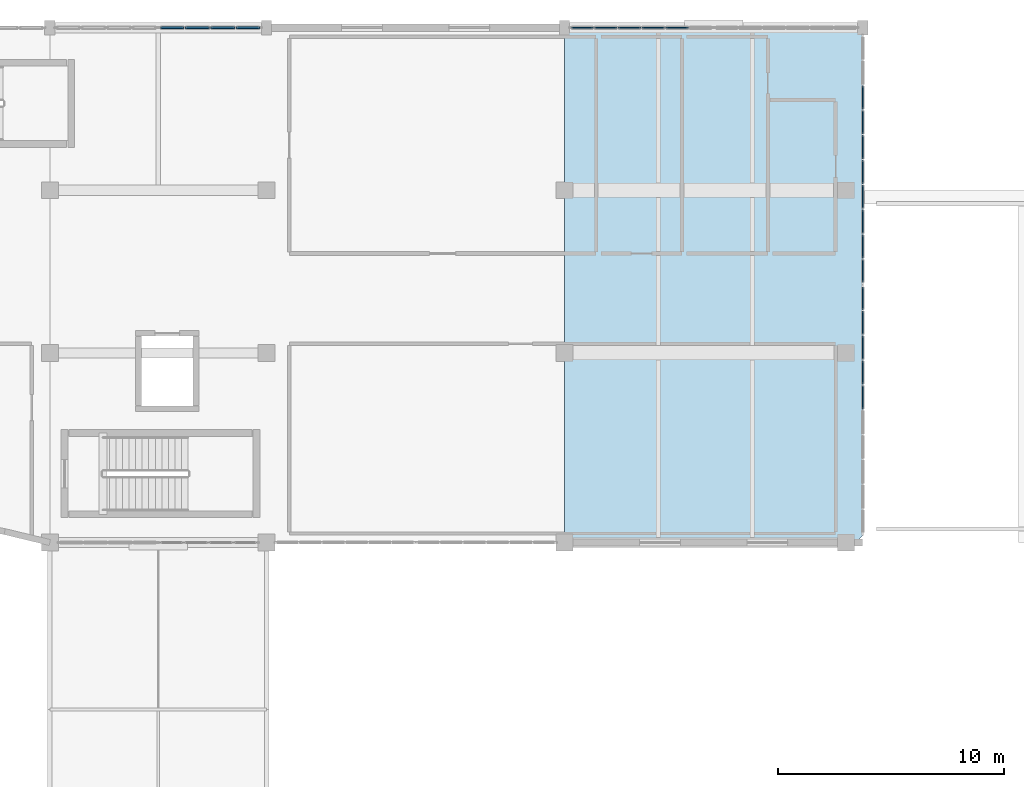
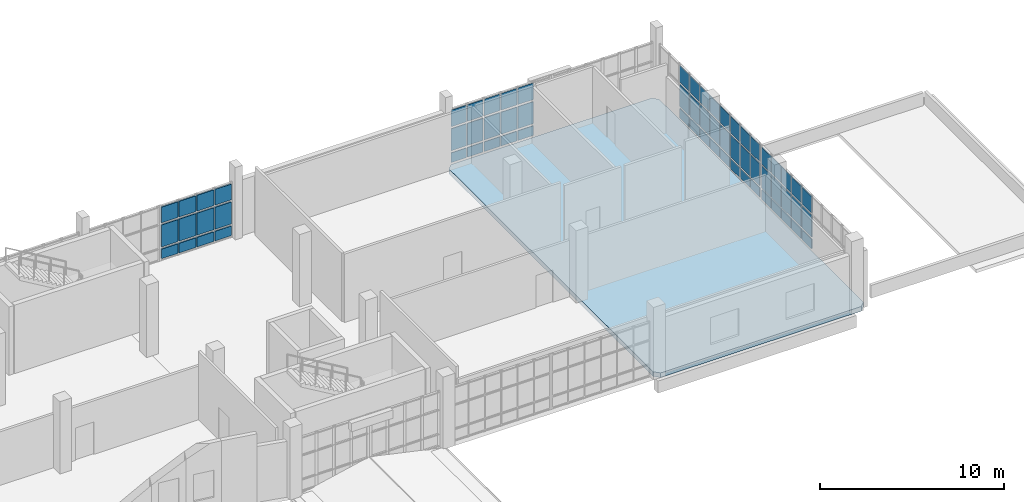
# One storey, part 78 of 106: 66 plates, 1 slab, 4 elements without a shape of their own.
"""IFC4 building model written with IfcOpenShell, lengths in metres."""

from ifc_helpers import new_model, si_unit, direction, frame, origin, origin_2d, place, context, subcontext, project, spatial, polyline, rectangle, outline, extrude, material, layer, layer_set, type_object, element, aggregate, save


model = new_model("IFC4")

# Units and contexts
model_context = context("Model", 3, precision=1e-05, world=origin(), true_north=direction((0.0, 1.0)))
body_context = subcontext(model_context, "Body", "Model", "MODEL_VIEW")
ifc_project = project(units=[si_unit("LENGTHUNIT", "METRE"), si_unit("AREAUNIT", "SQUARE_METRE"), si_unit("VOLUMEUNIT", "CUBIC_METRE"), si_unit("PLANEANGLEUNIT", "RADIAN"), si_unit("MASSUNIT", "GRAM", prefix="KILO")], contexts=[model_context])

# Site, building, storey
site_placement = place(None, origin())
site = spatial("IfcSite", under=ifc_project, at=site_placement, CompositionType="ELEMENT")
building_placement = place(site_placement, origin())
building = spatial("IfcBuilding", under=site, at=building_placement, Name="Kisaragi Civic Commons", CompositionType="ELEMENT")
storey_placement = place(building_placement, frame((0.0, 0.0, 4.800048828125)))
storey = spatial("IfcBuildingStorey", under=building, at=storey_placement, Name="L01", CompositionType="ELEMENT", Elevation=4.800048828125)

# Curtain wall, plates
ifc_material_1 = material(Name="Thermally broken anodized aluminium and low-E double glazing", Category="aluminium")
ifc_layer_1 = layer(ifc_material_1, 0.179931640625, Name="Thermally broken anodized aluminium and low-E double glazing", Category="aluminium")
ifc_layer_set_1 = layer_set([ifc_layer_1], Name="Thermally broken anodized aluminium and low-E double glazing")
curtain_wall_type = type_object("IfcCurtainWallType", Name="CW-01", PredefinedType="NOTDEFINED", material=ifc_layer_set_1)
curtain_wall_1_placement = place(storey_placement, origin())
curtain_wall_1 = element("IfcCurtainWall", 1, at=curtain_wall_1_placement, inside=storey, type_object=curtain_wall_type, Name="L01 curtain wall CW-01 CW-V4-L01-068", PredefinedType="NOTDEFINED")
ifc_layer_2 = layer(ifc_material_1, 0.0859375, Name="Thermally broken anodized aluminium and low-E double glazing", Category="aluminium")
ifc_layer_set_2 = layer_set([ifc_layer_2], Name="Thermally broken anodized aluminium and low-E double glazing")
plate_type_1 = type_object("IfcPlateType", Name="CWP-12", PredefinedType="CURTAIN_PANEL", material=ifc_layer_set_2)
plate_1_placement = place(storey_placement, frame((129.021240234375, 118.800048828125, 0.14013671875), z_axis=(0.0, 0.0, 1.0), x_axis=(1.0, 0.0, 0.0)))
plate_1 = element("IfcPlate", 2, at=plate_1_placement, type_object=plate_type_1, Name="CW-01 panel 1.1", PredefinedType="CURTAIN_PANEL", context=body_context, shape_type="SweptSolid", body=[
    extrude(rectangle(XDim=1.032470703125, YDim=0.0859375, at=origin_2d()), origin(), (0.0, 0.0, 1.0), 0.639892578125),
])
plate_2_placement = place(storey_placement, frame((129.021240234375, 118.800048828125, 0.919921875), z_axis=(0.0, 0.0, 1.0), x_axis=(1.0, 0.0, 0.0)))
plate_2 = element("IfcPlate", 3, at=plate_2_placement, type_object=plate_type_1, Name="CW-01 panel 1.2", PredefinedType="CURTAIN_PANEL", context=body_context, shape_type="SweptSolid", body=[
    extrude(rectangle(XDim=1.032470703125, YDim=0.0859375, at=origin_2d()), origin(), (0.0, 0.0, 1.0), 1.4599609375),
])
plate_3_placement = place(storey_placement, frame((129.021240234375, 118.800048828125, 2.52001953125), z_axis=(0.0, 0.0, 1.0), x_axis=(1.0, 0.0, 0.0)))
plate_3 = element("IfcPlate", 4, at=plate_3_placement, type_object=plate_type_1, Name="CW-01 panel 1.3", PredefinedType="CURTAIN_PANEL", context=body_context, shape_type="SweptSolid", body=[
    extrude(rectangle(XDim=1.032470703125, YDim=0.0859375, at=origin_2d()), origin(), (0.0, 0.0, 1.0), 1.044921875),
])
plate_4_placement = place(storey_placement, frame((130.135009765625, 118.800048828125, 0.14013671875), z_axis=(0.0, 0.0, 1.0), x_axis=(1.0, 0.0, 0.0)))
plate_4 = element("IfcPlate", 5, at=plate_4_placement, type_object=plate_type_1, Name="CW-01 panel 2.1", PredefinedType="CURTAIN_PANEL", context=body_context, shape_type="SweptSolid", body=[
    extrude(rectangle(XDim=1.06494140625, YDim=0.0859375, at=origin_2d()), origin(), (0.0, 0.0, 1.0), 0.639892578125),
])
plate_5_placement = place(storey_placement, frame((130.135009765625, 118.800048828125, 0.919921875), z_axis=(0.0, 0.0, 1.0), x_axis=(1.0, 0.0, 0.0)))
plate_5 = element("IfcPlate", 6, at=plate_5_placement, type_object=plate_type_1, Name="CW-01 panel 2.2", PredefinedType="CURTAIN_PANEL", context=body_context, shape_type="SweptSolid", body=[
    extrude(rectangle(XDim=1.06494140625, YDim=0.0859375, at=origin_2d()), origin(), (0.0, 0.0, 1.0), 1.4599609375),
])
plate_6_placement = place(storey_placement, frame((130.135009765625, 118.800048828125, 2.52001953125), z_axis=(0.0, 0.0, 1.0), x_axis=(1.0, 0.0, 0.0)))
plate_6 = element("IfcPlate", 7, at=plate_6_placement, type_object=plate_type_1, Name="CW-01 panel 2.3", PredefinedType="CURTAIN_PANEL", context=body_context, shape_type="SweptSolid", body=[
    extrude(rectangle(XDim=1.06494140625, YDim=0.0859375, at=origin_2d()), origin(), (0.0, 0.0, 1.0), 1.044921875),
])
plate_7_placement = place(storey_placement, frame((131.264892578125, 118.800048828125, 0.14013671875), z_axis=(0.0, 0.0, 1.0), x_axis=(1.0, 0.0, 0.0)))
plate_7 = element("IfcPlate", 8, at=plate_7_placement, type_object=plate_type_1, Name="CW-01 panel 3.1", PredefinedType="CURTAIN_PANEL", context=body_context, shape_type="SweptSolid", body=[
    extrude(rectangle(XDim=1.06494140625, YDim=0.0859375, at=origin_2d()), origin(), (0.0, 0.0, 1.0), 0.639892578125),
])
plate_8_placement = place(storey_placement, frame((131.264892578125, 118.800048828125, 0.919921875), z_axis=(0.0, 0.0, 1.0), x_axis=(1.0, 0.0, 0.0)))
plate_8 = element("IfcPlate", 9, at=plate_8_placement, type_object=plate_type_1, Name="CW-01 panel 3.2", PredefinedType="CURTAIN_PANEL", context=body_context, shape_type="SweptSolid", body=[
    extrude(rectangle(XDim=1.06494140625, YDim=0.0859375, at=origin_2d()), origin(), (0.0, 0.0, 1.0), 1.4599609375),
])
plate_9_placement = place(storey_placement, frame((131.264892578125, 118.800048828125, 2.52001953125), z_axis=(0.0, 0.0, 1.0), x_axis=(1.0, 0.0, 0.0)))
plate_9 = element("IfcPlate", 10, at=plate_9_placement, type_object=plate_type_1, Name="CW-01 panel 3.3", PredefinedType="CURTAIN_PANEL", context=body_context, shape_type="SweptSolid", body=[
    extrude(rectangle(XDim=1.06494140625, YDim=0.0859375, at=origin_2d()), origin(), (0.0, 0.0, 1.0), 1.044921875),
])
plate_10_placement = place(storey_placement, frame((132.378662109375, 118.800048828125, 0.14013671875), z_axis=(0.0, 0.0, 1.0), x_axis=(1.0, 0.0, 0.0)))
plate_10 = element("IfcPlate", 11, at=plate_10_placement, type_object=plate_type_1, Name="CW-01 panel 4.1", PredefinedType="CURTAIN_PANEL", context=body_context, shape_type="SweptSolid", body=[
    extrude(rectangle(XDim=1.032470703125, YDim=0.0859375, at=origin_2d()), origin(), (0.0, 0.0, 1.0), 0.639892578125),
])
plate_11_placement = place(storey_placement, frame((132.378662109375, 118.800048828125, 0.919921875), z_axis=(0.0, 0.0, 1.0), x_axis=(1.0, 0.0, 0.0)))
plate_11 = element("IfcPlate", 12, at=plate_11_placement, type_object=plate_type_1, Name="CW-01 panel 4.2", PredefinedType="CURTAIN_PANEL", context=body_context, shape_type="SweptSolid", body=[
    extrude(rectangle(XDim=1.032470703125, YDim=0.0859375, at=origin_2d()), origin(), (0.0, 0.0, 1.0), 1.4599609375),
])
plate_12_placement = place(storey_placement, frame((132.378662109375, 118.800048828125, 2.52001953125), z_axis=(0.0, 0.0, 1.0), x_axis=(1.0, 0.0, 0.0)))
plate_12 = element("IfcPlate", 13, at=plate_12_placement, type_object=plate_type_1, Name="CW-01 panel 4.3", PredefinedType="CURTAIN_PANEL", context=body_context, shape_type="SweptSolid", body=[
    extrude(rectangle(XDim=1.032470703125, YDim=0.0859375, at=origin_2d()), origin(), (0.0, 0.0, 1.0), 1.044921875),
])
aggregate(curtain_wall_1, [plate_1, plate_2, plate_3, plate_4, plate_5, plate_6, plate_7, plate_8, plate_9, plate_10, plate_11, plate_12])

curtain_wall_2_placement = place(storey_placement, origin())
curtain_wall_2 = element("IfcCurtainWall", 14, at=curtain_wall_2_placement, inside=storey, type_object=curtain_wall_type, Name="L01 curtain wall CW-01 CW-V4-L01-069", PredefinedType="NOTDEFINED")
ifc_layer_3 = layer(ifc_material_1, 0.0458984375, Name="Thermally broken anodized aluminium and low-E double glazing", Category="aluminium")
ifc_layer_set_3 = layer_set([ifc_layer_3], Name="Thermally broken anodized aluminium and low-E double glazing")
plate_type_2 = type_object("IfcPlateType", Name="CWP-13", PredefinedType="CURTAIN_PANEL", material=ifc_layer_set_3)
plate_13_placement = place(storey_placement, frame((147.182861328125, 118.800048828125, 0.14013671875), z_axis=(0.0, 0.0, 1.0), x_axis=(1.0, 0.0, 0.0)))
plate_13 = element("IfcPlate", 15, at=plate_13_placement, type_object=plate_type_2, Name="CW-01 panel 1.1", PredefinedType="CURTAIN_PANEL", context=body_context, shape_type="SweptSolid", body=[
    extrude(rectangle(XDim=0.955810546875, YDim=0.0458984375, at=origin_2d()), origin(), (0.0, 0.0, 1.0), 0.639892578125),
])
plate_14_placement = place(storey_placement, frame((147.182861328125, 118.800048828125, 0.919921875), z_axis=(0.0, 0.0, 1.0), x_axis=(1.0, 0.0, 0.0)))
plate_14 = element("IfcPlate", 16, at=plate_14_placement, type_object=plate_type_2, Name="CW-01 panel 1.2", PredefinedType="CURTAIN_PANEL", context=body_context, shape_type="SweptSolid", body=[
    extrude(rectangle(XDim=0.955810546875, YDim=0.0458984375, at=origin_2d()), origin(), (0.0, 0.0, 1.0), 1.4599609375),
])
plate_15_placement = place(storey_placement, frame((147.182861328125, 118.800048828125, 2.52001953125), z_axis=(0.0, 0.0, 1.0), x_axis=(1.0, 0.0, 0.0)))
plate_15 = element("IfcPlate", 17, at=plate_15_placement, type_object=plate_type_2, Name="CW-01 panel 1.3", PredefinedType="CURTAIN_PANEL", context=body_context, shape_type="SweptSolid", body=[
    extrude(rectangle(XDim=0.955810546875, YDim=0.0458984375, at=origin_2d()), origin(), (0.0, 0.0, 1.0), 1.094970703125),
])
plate_16_placement = place(storey_placement, frame((148.219970703125, 118.800048828125, 0.14013671875), z_axis=(0.0, 0.0, 1.0), x_axis=(1.0, 0.0, 0.0)))
plate_16 = element("IfcPlate", 18, at=plate_16_placement, type_object=plate_type_2, Name="CW-01 panel 2.1", PredefinedType="CURTAIN_PANEL", context=body_context, shape_type="SweptSolid", body=[
    extrude(rectangle(XDim=0.98828125, YDim=0.0458984375, at=origin_2d()), origin(), (0.0, 0.0, 1.0), 0.639892578125),
])
plate_17_placement = place(storey_placement, frame((148.219970703125, 118.800048828125, 0.919921875), z_axis=(0.0, 0.0, 1.0), x_axis=(1.0, 0.0, 0.0)))
plate_17 = element("IfcPlate", 19, at=plate_17_placement, type_object=plate_type_2, Name="CW-01 panel 2.2", PredefinedType="CURTAIN_PANEL", context=body_context, shape_type="SweptSolid", body=[
    extrude(rectangle(XDim=0.98828125, YDim=0.0458984375, at=origin_2d()), origin(), (0.0, 0.0, 1.0), 1.4599609375),
])
plate_18_placement = place(storey_placement, frame((148.219970703125, 118.800048828125, 2.52001953125), z_axis=(0.0, 0.0, 1.0), x_axis=(1.0, 0.0, 0.0)))
plate_18 = element("IfcPlate", 20, at=plate_18_placement, type_object=plate_type_2, Name="CW-01 panel 2.3", PredefinedType="CURTAIN_PANEL", context=body_context, shape_type="SweptSolid", body=[
    extrude(rectangle(XDim=0.98828125, YDim=0.0458984375, at=origin_2d()), origin(), (0.0, 0.0, 1.0), 1.094970703125),
])
plate_19_placement = place(storey_placement, frame((149.2734375, 118.800048828125, 0.14013671875), z_axis=(0.0, 0.0, 1.0), x_axis=(1.0, 0.0, 0.0)))
plate_19 = element("IfcPlate", 21, at=plate_19_placement, type_object=plate_type_2, Name="CW-01 panel 3.1", PredefinedType="CURTAIN_PANEL", context=body_context, shape_type="SweptSolid", body=[
    extrude(rectangle(XDim=0.98828125, YDim=0.0458984375, at=origin_2d()), origin(), (0.0, 0.0, 1.0), 0.639892578125),
])
plate_20_placement = place(storey_placement, frame((149.2734375, 118.800048828125, 0.919921875), z_axis=(0.0, 0.0, 1.0), x_axis=(1.0, 0.0, 0.0)))
plate_20 = element("IfcPlate", 22, at=plate_20_placement, type_object=plate_type_2, Name="CW-01 panel 3.2", PredefinedType="CURTAIN_PANEL", context=body_context, shape_type="SweptSolid", body=[
    extrude(rectangle(XDim=0.98828125, YDim=0.0458984375, at=origin_2d()), origin(), (0.0, 0.0, 1.0), 1.4599609375),
])
plate_21_placement = place(storey_placement, frame((149.2734375, 118.800048828125, 2.52001953125), z_axis=(0.0, 0.0, 1.0), x_axis=(1.0, 0.0, 0.0)))
plate_21 = element("IfcPlate", 23, at=plate_21_placement, type_object=plate_type_2, Name="CW-01 panel 3.3", PredefinedType="CURTAIN_PANEL", context=body_context, shape_type="SweptSolid", body=[
    extrude(rectangle(XDim=0.98828125, YDim=0.0458984375, at=origin_2d()), origin(), (0.0, 0.0, 1.0), 1.094970703125),
])
plate_22_placement = place(storey_placement, frame((150.32666015625, 118.800048828125, 0.14013671875), z_axis=(0.0, 0.0, 1.0), x_axis=(1.0, 0.0, 0.0)))
plate_22 = element("IfcPlate", 24, at=plate_22_placement, type_object=plate_type_2, Name="CW-01 panel 4.1", PredefinedType="CURTAIN_PANEL", context=body_context, shape_type="SweptSolid", body=[
    extrude(rectangle(XDim=0.98828125, YDim=0.0458984375, at=origin_2d()), origin(), (0.0, 0.0, 1.0), 0.639892578125),
])
plate_23_placement = place(storey_placement, frame((150.32666015625, 118.800048828125, 0.919921875), z_axis=(0.0, 0.0, 1.0), x_axis=(1.0, 0.0, 0.0)))
plate_23 = element("IfcPlate", 25, at=plate_23_placement, type_object=plate_type_2, Name="CW-01 panel 4.2", PredefinedType="CURTAIN_PANEL", context=body_context, shape_type="SweptSolid", body=[
    extrude(rectangle(XDim=0.98828125, YDim=0.0458984375, at=origin_2d()), origin(), (0.0, 0.0, 1.0), 1.4599609375),
])
plate_24_placement = place(storey_placement, frame((150.32666015625, 118.800048828125, 2.52001953125), z_axis=(0.0, 0.0, 1.0), x_axis=(1.0, 0.0, 0.0)))
plate_24 = element("IfcPlate", 26, at=plate_24_placement, type_object=plate_type_2, Name="CW-01 panel 4.3", PredefinedType="CURTAIN_PANEL", context=body_context, shape_type="SweptSolid", body=[
    extrude(rectangle(XDim=0.98828125, YDim=0.0458984375, at=origin_2d()), origin(), (0.0, 0.0, 1.0), 1.094970703125),
])
plate_25_placement = place(storey_placement, frame((151.3798828125, 118.800048828125, 0.14013671875), z_axis=(0.0, 0.0, 1.0), x_axis=(1.0, 0.0, 0.0)))
plate_25 = element("IfcPlate", 27, at=plate_25_placement, type_object=plate_type_2, Name="CW-01 panel 5.1", PredefinedType="CURTAIN_PANEL", context=body_context, shape_type="SweptSolid", body=[
    extrude(rectangle(XDim=0.98828125, YDim=0.0458984375, at=origin_2d()), origin(), (0.0, 0.0, 1.0), 0.639892578125),
])
plate_26_placement = place(storey_placement, frame((151.3798828125, 118.800048828125, 0.919921875), z_axis=(0.0, 0.0, 1.0), x_axis=(1.0, 0.0, 0.0)))
plate_26 = element("IfcPlate", 28, at=plate_26_placement, type_object=plate_type_2, Name="CW-01 panel 5.2", PredefinedType="CURTAIN_PANEL", context=body_context, shape_type="SweptSolid", body=[
    extrude(rectangle(XDim=0.98828125, YDim=0.0458984375, at=origin_2d()), origin(), (0.0, 0.0, 1.0), 1.4599609375),
])
plate_27_placement = place(storey_placement, frame((151.3798828125, 118.800048828125, 2.52001953125), z_axis=(0.0, 0.0, 1.0), x_axis=(1.0, 0.0, 0.0)))
plate_27 = element("IfcPlate", 29, at=plate_27_placement, type_object=plate_type_2, Name="CW-01 panel 5.3", PredefinedType="CURTAIN_PANEL", context=body_context, shape_type="SweptSolid", body=[
    extrude(rectangle(XDim=0.98828125, YDim=0.0458984375, at=origin_2d()), origin(), (0.0, 0.0, 1.0), 1.094970703125),
])
aggregate(curtain_wall_2, [plate_13, plate_14, plate_15, plate_16, plate_17, plate_18, plate_19, plate_20, plate_21, plate_22, plate_23, plate_24, plate_25, plate_26, plate_27])

curtain_wall_3_placement = place(storey_placement, origin())
curtain_wall_3 = element("IfcCurtainWall", 30, at=curtain_wall_3_placement, inside=storey, type_object=curtain_wall_type, Name="L01 curtain wall CW-01 CW-V4-L01-071", PredefinedType="NOTDEFINED")
ifc_layer_4 = layer(ifc_material_1, 0.053955078125, Name="Thermally broken anodized aluminium and low-E double glazing", Category="aluminium")
ifc_layer_set_4 = layer_set([ifc_layer_4], Name="Thermally broken anodized aluminium and low-E double glazing")
plate_type_3 = type_object("IfcPlateType", Name="CWP-15", PredefinedType="CURTAIN_PANEL", material=ifc_layer_set_4)
plate_28_placement = place(storey_placement, frame((159.60009765625, 115.7099609375, 0.14013671875), z_axis=(0.0, 0.0, 1.0), x_axis=(0.0, -1.0, 0.0)))
plate_28 = element("IfcPlate", 31, at=plate_28_placement, type_object=plate_type_3, Name="CW-01 panel 3.1", PredefinedType="CURTAIN_PANEL", context=body_context, shape_type="SweptSolid", body=[
    extrude(rectangle(XDim=1.034912109375, YDim=0.053955078125, at=origin_2d()), origin(), (0.0, 0.0, 1.0), 0.639892578125),
])
plate_29_placement = place(storey_placement, frame((159.60009765625, 115.7099609375, 0.919921875), z_axis=(0.0, 0.0, 1.0), x_axis=(0.0, -1.0, 0.0)))
plate_29 = element("IfcPlate", 32, at=plate_29_placement, type_object=plate_type_3, Name="CW-01 panel 3.2", PredefinedType="CURTAIN_PANEL", context=body_context, shape_type="SweptSolid", body=[
    extrude(rectangle(XDim=1.034912109375, YDim=0.053955078125, at=origin_2d()), origin(), (0.0, 0.0, 1.0), 1.4599609375),
])
plate_30_placement = place(storey_placement, frame((159.60009765625, 115.7099609375, 2.52001953125), z_axis=(0.0, 0.0, 1.0), x_axis=(0.0, -1.0, 0.0)))
plate_30 = element("IfcPlate", 33, at=plate_30_placement, type_object=plate_type_3, Name="CW-01 panel 3.3", PredefinedType="CURTAIN_PANEL", context=body_context, shape_type="SweptSolid", body=[
    extrude(rectangle(XDim=1.034912109375, YDim=0.053955078125, at=origin_2d()), origin(), (0.0, 0.0, 1.0), 1.094970703125),
])
plate_31_placement = place(storey_placement, frame((159.60009765625, 114.610107421875, 0.14013671875), z_axis=(0.0, 0.0, 1.0), x_axis=(0.0, -1.0, 0.0)))
plate_31 = element("IfcPlate", 34, at=plate_31_placement, type_object=plate_type_3, Name="CW-01 panel 4.1", PredefinedType="CURTAIN_PANEL", context=body_context, shape_type="SweptSolid", body=[
    extrude(rectangle(XDim=1.034912109375, YDim=0.053955078125, at=origin_2d()), origin(), (0.0, 0.0, 1.0), 0.639892578125),
])
plate_32_placement = place(storey_placement, frame((159.60009765625, 114.610107421875, 0.919921875), z_axis=(0.0, 0.0, 1.0), x_axis=(0.0, -1.0, 0.0)))
plate_32 = element("IfcPlate", 35, at=plate_32_placement, type_object=plate_type_3, Name="CW-01 panel 4.2", PredefinedType="CURTAIN_PANEL", context=body_context, shape_type="SweptSolid", body=[
    extrude(rectangle(XDim=1.034912109375, YDim=0.053955078125, at=origin_2d()), origin(), (0.0, 0.0, 1.0), 1.4599609375),
])
plate_33_placement = place(storey_placement, frame((159.60009765625, 114.610107421875, 2.52001953125), z_axis=(0.0, 0.0, 1.0), x_axis=(0.0, -1.0, 0.0)))
plate_33 = element("IfcPlate", 36, at=plate_33_placement, type_object=plate_type_3, Name="CW-01 panel 4.3", PredefinedType="CURTAIN_PANEL", context=body_context, shape_type="SweptSolid", body=[
    extrude(rectangle(XDim=1.034912109375, YDim=0.053955078125, at=origin_2d()), origin(), (0.0, 0.0, 1.0), 1.094970703125),
])
plate_34_placement = place(storey_placement, frame((159.60009765625, 113.510009765625, 0.14013671875), z_axis=(0.0, 0.0, 1.0), x_axis=(0.0, -1.0, 0.0)))
plate_34 = element("IfcPlate", 37, at=plate_34_placement, type_object=plate_type_3, Name="CW-01 panel 5.1", PredefinedType="CURTAIN_PANEL", context=body_context, shape_type="SweptSolid", body=[
    extrude(rectangle(XDim=1.034912109375, YDim=0.053955078125, at=origin_2d()), origin(), (0.0, 0.0, 1.0), 0.639892578125),
])
plate_35_placement = place(storey_placement, frame((159.60009765625, 113.510009765625, 0.919921875), z_axis=(0.0, 0.0, 1.0), x_axis=(0.0, -1.0, 0.0)))
plate_35 = element("IfcPlate", 38, at=plate_35_placement, type_object=plate_type_3, Name="CW-01 panel 5.2", PredefinedType="CURTAIN_PANEL", context=body_context, shape_type="SweptSolid", body=[
    extrude(rectangle(XDim=1.034912109375, YDim=0.053955078125, at=origin_2d()), origin(), (0.0, 0.0, 1.0), 1.4599609375),
])
plate_36_placement = place(storey_placement, frame((159.60009765625, 113.510009765625, 2.52001953125), z_axis=(0.0, 0.0, 1.0), x_axis=(0.0, -1.0, 0.0)))
plate_36 = element("IfcPlate", 39, at=plate_36_placement, type_object=plate_type_3, Name="CW-01 panel 5.3", PredefinedType="CURTAIN_PANEL", context=body_context, shape_type="SweptSolid", body=[
    extrude(rectangle(XDim=1.034912109375, YDim=0.053955078125, at=origin_2d()), origin(), (0.0, 0.0, 1.0), 1.094970703125),
])
plate_37_placement = place(storey_placement, frame((159.60009765625, 112.409912109375, 0.14013671875), z_axis=(0.0, 0.0, 1.0), x_axis=(0.0, -1.0, 0.0)))
plate_37 = element("IfcPlate", 40, at=plate_37_placement, type_object=plate_type_3, Name="CW-01 panel 6.1", PredefinedType="CURTAIN_PANEL", context=body_context, shape_type="SweptSolid", body=[
    extrude(rectangle(XDim=1.034912109375, YDim=0.053955078125, at=origin_2d()), origin(), (0.0, 0.0, 1.0), 0.639892578125),
])
plate_38_placement = place(storey_placement, frame((159.60009765625, 112.409912109375, 0.919921875), z_axis=(0.0, 0.0, 1.0), x_axis=(0.0, -1.0, 0.0)))
plate_38 = element("IfcPlate", 41, at=plate_38_placement, type_object=plate_type_3, Name="CW-01 panel 6.2", PredefinedType="CURTAIN_PANEL", context=body_context, shape_type="SweptSolid", body=[
    extrude(rectangle(XDim=1.034912109375, YDim=0.053955078125, at=origin_2d()), origin(), (0.0, 0.0, 1.0), 1.4599609375),
])
plate_39_placement = place(storey_placement, frame((159.60009765625, 112.409912109375, 2.52001953125), z_axis=(0.0, 0.0, 1.0), x_axis=(0.0, -1.0, 0.0)))
plate_39 = element("IfcPlate", 42, at=plate_39_placement, type_object=plate_type_3, Name="CW-01 panel 6.3", PredefinedType="CURTAIN_PANEL", context=body_context, shape_type="SweptSolid", body=[
    extrude(rectangle(XDim=1.034912109375, YDim=0.053955078125, at=origin_2d()), origin(), (0.0, 0.0, 1.0), 1.094970703125),
])
plate_40_placement = place(storey_placement, frame((159.60009765625, 111.31005859375, 0.14013671875), z_axis=(0.0, 0.0, 1.0), x_axis=(0.0, -1.0, 0.0)))
plate_40 = element("IfcPlate", 43, at=plate_40_placement, type_object=plate_type_3, Name="CW-01 panel 7.1", PredefinedType="CURTAIN_PANEL", context=body_context, shape_type="SweptSolid", body=[
    extrude(rectangle(XDim=1.034912109375, YDim=0.053955078125, at=origin_2d()), origin(), (0.0, 0.0, 1.0), 0.639892578125),
])
plate_41_placement = place(storey_placement, frame((159.60009765625, 111.31005859375, 0.919921875), z_axis=(0.0, 0.0, 1.0), x_axis=(0.0, -1.0, 0.0)))
plate_41 = element("IfcPlate", 44, at=plate_41_placement, type_object=plate_type_3, Name="CW-01 panel 7.2", PredefinedType="CURTAIN_PANEL", context=body_context, shape_type="SweptSolid", body=[
    extrude(rectangle(XDim=1.034912109375, YDim=0.053955078125, at=origin_2d()), origin(), (0.0, 0.0, 1.0), 1.4599609375),
])
plate_42_placement = place(storey_placement, frame((159.60009765625, 111.31005859375, 2.52001953125), z_axis=(0.0, 0.0, 1.0), x_axis=(0.0, -1.0, 0.0)))
plate_42 = element("IfcPlate", 45, at=plate_42_placement, type_object=plate_type_3, Name="CW-01 panel 7.3", PredefinedType="CURTAIN_PANEL", context=body_context, shape_type="SweptSolid", body=[
    extrude(rectangle(XDim=1.034912109375, YDim=0.053955078125, at=origin_2d()), origin(), (0.0, 0.0, 1.0), 1.094970703125),
])
plate_43_placement = place(storey_placement, frame((159.60009765625, 110.2099609375, 0.14013671875), z_axis=(0.0, 0.0, 1.0), x_axis=(0.0, -1.0, 0.0)))
plate_43 = element("IfcPlate", 46, at=plate_43_placement, type_object=plate_type_3, Name="CW-01 panel 8.1", PredefinedType="CURTAIN_PANEL", context=body_context, shape_type="SweptSolid", body=[
    extrude(rectangle(XDim=1.034912109375, YDim=0.053955078125, at=origin_2d()), origin(), (0.0, 0.0, 1.0), 0.639892578125),
])
plate_44_placement = place(storey_placement, frame((159.60009765625, 110.2099609375, 0.919921875), z_axis=(0.0, 0.0, 1.0), x_axis=(0.0, -1.0, 0.0)))
plate_44 = element("IfcPlate", 47, at=plate_44_placement, type_object=plate_type_3, Name="CW-01 panel 8.2", PredefinedType="CURTAIN_PANEL", context=body_context, shape_type="SweptSolid", body=[
    extrude(rectangle(XDim=1.034912109375, YDim=0.053955078125, at=origin_2d()), origin(), (0.0, 0.0, 1.0), 1.4599609375),
])
plate_45_placement = place(storey_placement, frame((159.60009765625, 110.2099609375, 2.52001953125), z_axis=(0.0, 0.0, 1.0), x_axis=(0.0, -1.0, 0.0)))
plate_45 = element("IfcPlate", 48, at=plate_45_placement, type_object=plate_type_3, Name="CW-01 panel 8.3", PredefinedType="CURTAIN_PANEL", context=body_context, shape_type="SweptSolid", body=[
    extrude(rectangle(XDim=1.034912109375, YDim=0.053955078125, at=origin_2d()), origin(), (0.0, 0.0, 1.0), 1.094970703125),
])
plate_46_placement = place(storey_placement, frame((159.60009765625, 109.110107421875, 0.14013671875), z_axis=(0.0, 0.0, 1.0), x_axis=(0.0, -1.0, 0.0)))
plate_46 = element("IfcPlate", 49, at=plate_46_placement, type_object=plate_type_3, Name="CW-01 panel 9.1", PredefinedType="CURTAIN_PANEL", context=body_context, shape_type="SweptSolid", body=[
    extrude(rectangle(XDim=1.034912109375, YDim=0.053955078125, at=origin_2d()), origin(), (0.0, 0.0, 1.0), 0.639892578125),
])
plate_47_placement = place(storey_placement, frame((159.60009765625, 109.110107421875, 0.919921875), z_axis=(0.0, 0.0, 1.0), x_axis=(0.0, -1.0, 0.0)))
plate_47 = element("IfcPlate", 50, at=plate_47_placement, type_object=plate_type_3, Name="CW-01 panel 9.2", PredefinedType="CURTAIN_PANEL", context=body_context, shape_type="SweptSolid", body=[
    extrude(rectangle(XDim=1.034912109375, YDim=0.053955078125, at=origin_2d()), origin(), (0.0, 0.0, 1.0), 1.4599609375),
])
plate_48_placement = place(storey_placement, frame((159.60009765625, 109.110107421875, 2.52001953125), z_axis=(0.0, 0.0, 1.0), x_axis=(0.0, -1.0, 0.0)))
plate_48 = element("IfcPlate", 51, at=plate_48_placement, type_object=plate_type_3, Name="CW-01 panel 9.3", PredefinedType="CURTAIN_PANEL", context=body_context, shape_type="SweptSolid", body=[
    extrude(rectangle(XDim=1.034912109375, YDim=0.053955078125, at=origin_2d()), origin(), (0.0, 0.0, 1.0), 1.094970703125),
])
plate_49_placement = place(storey_placement, frame((159.60009765625, 108.0263671875, 0.14013671875), z_axis=(0.0, 0.0, 1.0), x_axis=(0.0, -1.0, 0.0)))
plate_49 = element("IfcPlate", 52, at=plate_49_placement, type_object=plate_type_3, Name="CW-01 panel 10.1", PredefinedType="CURTAIN_PANEL", context=body_context, shape_type="SweptSolid", body=[
    extrude(rectangle(XDim=1.00244140625, YDim=0.053955078125, at=origin_2d()), origin(), (0.0, 0.0, 1.0), 0.639892578125),
])
plate_50_placement = place(storey_placement, frame((159.60009765625, 108.0263671875, 0.919921875), z_axis=(0.0, 0.0, 1.0), x_axis=(0.0, -1.0, 0.0)))
plate_50 = element("IfcPlate", 53, at=plate_50_placement, type_object=plate_type_3, Name="CW-01 panel 10.2", PredefinedType="CURTAIN_PANEL", context=body_context, shape_type="SweptSolid", body=[
    extrude(rectangle(XDim=1.00244140625, YDim=0.053955078125, at=origin_2d()), origin(), (0.0, 0.0, 1.0), 1.4599609375),
])
plate_51_placement = place(storey_placement, frame((159.60009765625, 108.0263671875, 2.52001953125), z_axis=(0.0, 0.0, 1.0), x_axis=(0.0, -1.0, 0.0)))
plate_51 = element("IfcPlate", 54, at=plate_51_placement, type_object=plate_type_3, Name="CW-01 panel 10.3", PredefinedType="CURTAIN_PANEL", context=body_context, shape_type="SweptSolid", body=[
    extrude(rectangle(XDim=1.00244140625, YDim=0.053955078125, at=origin_2d()), origin(), (0.0, 0.0, 1.0), 1.094970703125),
])
aggregate(curtain_wall_3, [plate_28, plate_29, plate_30, plate_31, plate_32, plate_33, plate_34, plate_35, plate_36, plate_37, plate_38, plate_39, plate_40, plate_41, plate_42, plate_43, plate_44, plate_45, plate_46, plate_47, plate_48, plate_49, plate_50, plate_51])

curtain_wall_4_placement = place(storey_placement, origin())
curtain_wall_4 = element("IfcCurtainWall", 55, at=curtain_wall_4_placement, inside=storey, type_object=curtain_wall_type, Name="L01 curtain wall CW-01 CW-V4-L01-072", PredefinedType="NOTDEFINED")
ifc_layer_5 = layer(ifc_material_1, 0.06201171875, Name="Thermally broken anodized aluminium and low-E double glazing", Category="aluminium")
ifc_layer_set_5 = layer_set([ifc_layer_5], Name="Thermally broken anodized aluminium and low-E double glazing")
plate_type_4 = type_object("IfcPlateType", Name="CWP-16", PredefinedType="CURTAIN_PANEL", material=ifc_layer_set_5)
plate_52_placement = place(storey_placement, frame((159.60009765625, 106.813720703125, 0.14013671875), z_axis=(0.0, 0.0, 1.0), x_axis=(0.0, -1.0, 0.0)))
plate_52 = element("IfcPlate", 56, at=plate_52_placement, type_object=plate_type_4, Name="CW-01 panel 1.1", PredefinedType="CURTAIN_PANEL", context=body_context, shape_type="SweptSolid", body=[
    extrude(rectangle(XDim=1.00244140625, YDim=0.06201171875, at=origin_2d()), origin(), (0.0, 0.0, 1.0), 0.639892578125),
])
plate_53_placement = place(storey_placement, frame((159.60009765625, 106.813720703125, 0.919921875), z_axis=(0.0, 0.0, 1.0), x_axis=(0.0, -1.0, 0.0)))
plate_53 = element("IfcPlate", 57, at=plate_53_placement, type_object=plate_type_4, Name="CW-01 panel 1.2", PredefinedType="CURTAIN_PANEL", context=body_context, shape_type="SweptSolid", body=[
    extrude(rectangle(XDim=1.00244140625, YDim=0.06201171875, at=origin_2d()), origin(), (0.0, 0.0, 1.0), 1.4599609375),
])
plate_54_placement = place(storey_placement, frame((159.60009765625, 106.813720703125, 2.52001953125), z_axis=(0.0, 0.0, 1.0), x_axis=(0.0, -1.0, 0.0)))
plate_54 = element("IfcPlate", 58, at=plate_54_placement, type_object=plate_type_4, Name="CW-01 panel 1.3", PredefinedType="CURTAIN_PANEL", context=body_context, shape_type="SweptSolid", body=[
    extrude(rectangle(XDim=1.00244140625, YDim=0.06201171875, at=origin_2d()), origin(), (0.0, 0.0, 1.0), 1.094970703125),
])
plate_55_placement = place(storey_placement, frame((159.60009765625, 105.72998046875, 0.14013671875), z_axis=(0.0, 0.0, 1.0), x_axis=(0.0, -1.0, 0.0)))
plate_55 = element("IfcPlate", 59, at=plate_55_placement, type_object=plate_type_4, Name="CW-01 panel 2.1", PredefinedType="CURTAIN_PANEL", context=body_context, shape_type="SweptSolid", body=[
    extrude(rectangle(XDim=1.034912109375, YDim=0.06201171875, at=origin_2d()), origin(), (0.0, 0.0, 1.0), 0.639892578125),
])
plate_56_placement = place(storey_placement, frame((159.60009765625, 105.72998046875, 0.919921875), z_axis=(0.0, 0.0, 1.0), x_axis=(0.0, -1.0, 0.0)))
plate_56 = element("IfcPlate", 60, at=plate_56_placement, type_object=plate_type_4, Name="CW-01 panel 2.2", PredefinedType="CURTAIN_PANEL", context=body_context, shape_type="SweptSolid", body=[
    extrude(rectangle(XDim=1.034912109375, YDim=0.06201171875, at=origin_2d()), origin(), (0.0, 0.0, 1.0), 1.4599609375),
])
plate_57_placement = place(storey_placement, frame((159.60009765625, 105.72998046875, 2.52001953125), z_axis=(0.0, 0.0, 1.0), x_axis=(0.0, -1.0, 0.0)))
plate_57 = element("IfcPlate", 61, at=plate_57_placement, type_object=plate_type_4, Name="CW-01 panel 2.3", PredefinedType="CURTAIN_PANEL", context=body_context, shape_type="SweptSolid", body=[
    extrude(rectangle(XDim=1.034912109375, YDim=0.06201171875, at=origin_2d()), origin(), (0.0, 0.0, 1.0), 1.094970703125),
])
plate_58_placement = place(storey_placement, frame((159.60009765625, 104.6298828125, 0.14013671875), z_axis=(0.0, 0.0, 1.0), x_axis=(0.0, -1.0, 0.0)))
plate_58 = element("IfcPlate", 62, at=plate_58_placement, type_object=plate_type_4, Name="CW-01 panel 3.1", PredefinedType="CURTAIN_PANEL", context=body_context, shape_type="SweptSolid", body=[
    extrude(rectangle(XDim=1.034912109375, YDim=0.06201171875, at=origin_2d()), origin(), (0.0, 0.0, 1.0), 0.639892578125),
])
plate_59_placement = place(storey_placement, frame((159.60009765625, 104.6298828125, 0.919921875), z_axis=(0.0, 0.0, 1.0), x_axis=(0.0, -1.0, 0.0)))
plate_59 = element("IfcPlate", 63, at=plate_59_placement, type_object=plate_type_4, Name="CW-01 panel 3.2", PredefinedType="CURTAIN_PANEL", context=body_context, shape_type="SweptSolid", body=[
    extrude(rectangle(XDim=1.034912109375, YDim=0.06201171875, at=origin_2d()), origin(), (0.0, 0.0, 1.0), 1.4599609375),
])
plate_60_placement = place(storey_placement, frame((159.60009765625, 104.6298828125, 2.52001953125), z_axis=(0.0, 0.0, 1.0), x_axis=(0.0, -1.0, 0.0)))
plate_60 = element("IfcPlate", 64, at=plate_60_placement, type_object=plate_type_4, Name="CW-01 panel 3.3", PredefinedType="CURTAIN_PANEL", context=body_context, shape_type="SweptSolid", body=[
    extrude(rectangle(XDim=1.034912109375, YDim=0.06201171875, at=origin_2d()), origin(), (0.0, 0.0, 1.0), 1.094970703125),
])
plate_61_placement = place(storey_placement, frame((159.60009765625, 103.530029296875, 0.14013671875), z_axis=(0.0, 0.0, 1.0), x_axis=(0.0, -1.0, 0.0)))
plate_61 = element("IfcPlate", 65, at=plate_61_placement, type_object=plate_type_4, Name="CW-01 panel 4.1", PredefinedType="CURTAIN_PANEL", context=body_context, shape_type="SweptSolid", body=[
    extrude(rectangle(XDim=1.034912109375, YDim=0.06201171875, at=origin_2d()), origin(), (0.0, 0.0, 1.0), 0.639892578125),
])
plate_62_placement = place(storey_placement, frame((159.60009765625, 103.530029296875, 0.919921875), z_axis=(0.0, 0.0, 1.0), x_axis=(0.0, -1.0, 0.0)))
plate_62 = element("IfcPlate", 66, at=plate_62_placement, type_object=plate_type_4, Name="CW-01 panel 4.2", PredefinedType="CURTAIN_PANEL", context=body_context, shape_type="SweptSolid", body=[
    extrude(rectangle(XDim=1.034912109375, YDim=0.06201171875, at=origin_2d()), origin(), (0.0, 0.0, 1.0), 1.4599609375),
])
plate_63_placement = place(storey_placement, frame((159.60009765625, 103.530029296875, 2.52001953125), z_axis=(0.0, 0.0, 1.0), x_axis=(0.0, -1.0, 0.0)))
plate_63 = element("IfcPlate", 67, at=plate_63_placement, type_object=plate_type_4, Name="CW-01 panel 4.3", PredefinedType="CURTAIN_PANEL", context=body_context, shape_type="SweptSolid", body=[
    extrude(rectangle(XDim=1.034912109375, YDim=0.06201171875, at=origin_2d()), origin(), (0.0, 0.0, 1.0), 1.094970703125),
])
plate_64_placement = place(storey_placement, frame((159.60009765625, 102.429931640625, 0.14013671875), z_axis=(0.0, 0.0, 1.0), x_axis=(0.0, -1.0, 0.0)))
plate_64 = element("IfcPlate", 68, at=plate_64_placement, type_object=plate_type_4, Name="CW-01 panel 5.1", PredefinedType="CURTAIN_PANEL", context=body_context, shape_type="SweptSolid", body=[
    extrude(rectangle(XDim=1.034912109375, YDim=0.06201171875, at=origin_2d()), origin(), (0.0, 0.0, 1.0), 0.639892578125),
])
plate_65_placement = place(storey_placement, frame((159.60009765625, 102.429931640625, 0.919921875), z_axis=(0.0, 0.0, 1.0), x_axis=(0.0, -1.0, 0.0)))
plate_65 = element("IfcPlate", 69, at=plate_65_placement, type_object=plate_type_4, Name="CW-01 panel 5.2", PredefinedType="CURTAIN_PANEL", context=body_context, shape_type="SweptSolid", body=[
    extrude(rectangle(XDim=1.034912109375, YDim=0.06201171875, at=origin_2d()), origin(), (0.0, 0.0, 1.0), 1.4599609375),
])
plate_66_placement = place(storey_placement, frame((159.60009765625, 102.429931640625, 2.52001953125), z_axis=(0.0, 0.0, 1.0), x_axis=(0.0, -1.0, 0.0)))
plate_66 = element("IfcPlate", 70, at=plate_66_placement, type_object=plate_type_4, Name="CW-01 panel 5.3", PredefinedType="CURTAIN_PANEL", context=body_context, shape_type="SweptSolid", body=[
    extrude(rectangle(XDim=1.034912109375, YDim=0.06201171875, at=origin_2d()), origin(), (0.0, 0.0, 1.0), 1.094970703125),
])
aggregate(curtain_wall_4, [plate_52, plate_53, plate_54, plate_55, plate_56, plate_57, plate_58, plate_59, plate_60, plate_61, plate_62, plate_63, plate_64, plate_65, plate_66])

# Slab
ifc_material_2 = material(Name="Concrete Fc30", Category="concrete")
ifc_layer_6 = layer(ifc_material_2, 0.304931640625, Name="Concrete Fc30", Category="concrete")
ifc_layer_set_6 = layer_set([ifc_layer_6], Name="Concrete Fc30")
slab_type = type_object("IfcSlabType", Name="SL-F1", PredefinedType="FLOOR", material=ifc_layer_set_6)
slab_placement = place(storey_placement, frame((0.0, 0.0, -0.304931640625)))
element("IfcSlab", 71, at=slab_placement, inside=storey, type_object=slab_type, Name="V4 L01 slab SL-F1 45", PredefinedType="FLOOR", context=body_context, shape_type="SweptSolid", body=[
    extrude(outline(polyline([(146.699951171875, 96.0), (159.300048828125, 96.0), (159.60009765625, 96.300048828125), (159.60009765625, 118.5), (159.300048828125, 118.800048828125), (146.699951171875, 118.800048828125), (146.39990234375, 118.5), (146.39990234375, 96.300048828125), (146.699951171875, 96.0)])), origin(), (0.0, 0.0, 1.0), 0.304931640625),
])

save(model, "model.ifc")
